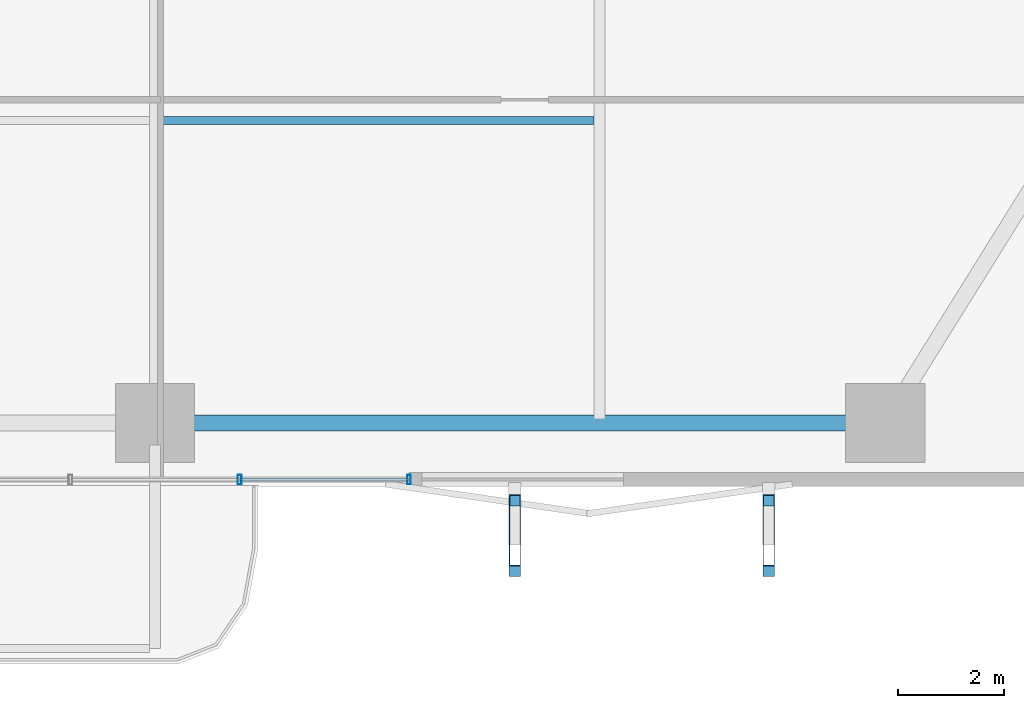
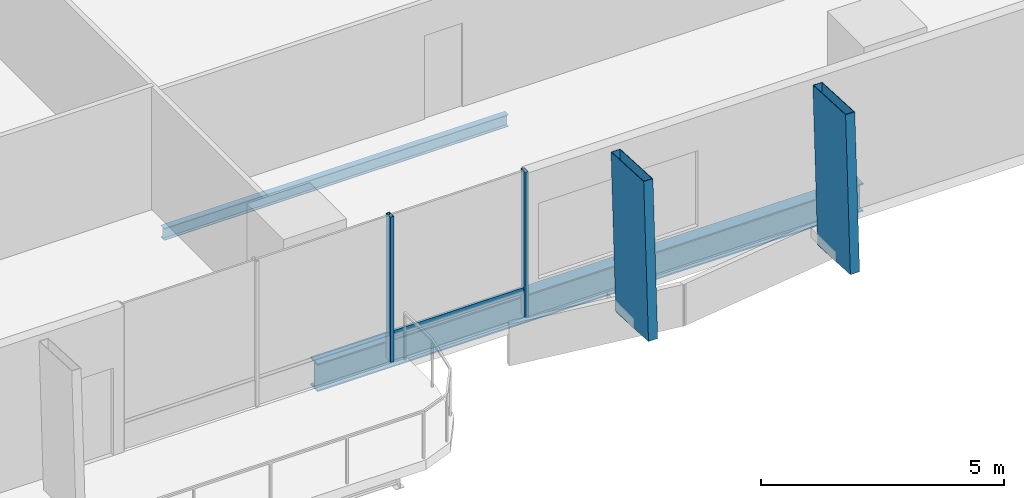
# One storey, part 6 of 23: 5 members, 2 beams, 1 element without a shape of its own.
"""IFC4 building model written with IfcOpenShell, lengths in metres."""

from ifc_helpers import new_model, si_unit, direction, frame, origin, origin_2d, place, context, subcontext, project, spatial, hollow_rectangle, i_section, extrude, material, layer, layer_set, material_profile, profile_set, type_object, element, aggregate, save


model = new_model("IFC4")

# Units and contexts
model_context = context("Model", 3, precision=1e-05, world=origin(), true_north=direction((0.0, 1.0)))
body_context = subcontext(model_context, "Body", "Model", "MODEL_VIEW")
ifc_project = project(units=[si_unit("LENGTHUNIT", "METRE"), si_unit("AREAUNIT", "SQUARE_METRE"), si_unit("VOLUMEUNIT", "CUBIC_METRE"), si_unit("PLANEANGLEUNIT", "RADIAN"), si_unit("MASSUNIT", "GRAM", prefix="KILO")], contexts=[model_context])

# Site, building, storey
site_placement = place(None, origin())
site = spatial("IfcSite", under=ifc_project, at=site_placement, CompositionType="ELEMENT")
building_placement = place(site_placement, origin())
building = spatial("IfcBuilding", under=site, at=building_placement, Name="Belovzor Exchange Tower", CompositionType="ELEMENT")
storey_placement = place(building_placement, frame((0.0, 0.0, 76.800048828125)))
storey = spatial("IfcBuildingStorey", under=building, at=storey_placement, Name="L18", CompositionType="ELEMENT", Elevation=76.800048828125)

# Members
ifc_material_1 = material(Name="Extruded Architectural Terracotta on Steel S355 Carrier", Category="masonry")
ifc_material_profile_1 = material_profile(ifc_material_1, hollow_rectangle(XDim=0.219970703125, YDim=1.35009765625, WallThickness=0.013916015625, at=origin_2d()))
ifc_profile_set_1 = profile_set([ifc_material_profile_1], Name="Extruded Architectural Terracotta on Steel S355 Carrier")
member_type_1 = type_object("IfcMemberType", Name="Base Arc Sweeping Terracotta Pylon Fin 1450", PredefinedType="USERDEFINED", material=ifc_profile_set_1)
for number, where, z_axis, x_axis, name in (
    (1, (35.60009765625, -0.1259765625, -0.25), (0.0, 0.050704695274, 0.998713689641), (-1.0, 0.0, 0.0), "FIN-TC145 Terracotta Facade Fin L18 S3"),
    (2, (40.39990234375, -0.1259765625, -0.25), (0.0, 0.050704695274, 0.998713689641), (-1.0, 0.0, 0.0), "FIN-TC145 Terracotta Facade Fin L18 S4"),
):
    element("IfcMember", number, at=place(storey_placement, frame(where, z_axis=z_axis, x_axis=x_axis)), inside=storey, type_object=member_type_1, Name=name, ObjectType="FIN", PredefinedType="USERDEFINED", context=body_context, shape_type="SweptSolid", body=[
        extrude(hollow_rectangle(XDim=0.219970703125, YDim=1.35009765625, WallThickness=0.013916015625, at=origin_2d()), origin(), (0.0, 0.0, 1.0), 3.905029296875),
    ])

# Beam
ifc_material_2 = material(Name="Steel S355", Category="steel")
ifc_material_profile_2 = material_profile(ifc_material_2, i_section(OverallWidth=0.14990234375, OverallDepth=0.300048828125, WebThickness=0.007080078125, FlangeThickness=0.0107421875, at=origin_2d()))
ifc_profile_set_2 = profile_set([ifc_material_profile_2], Name="Steel S355")
beam_type_1 = type_object("IfcBeamType", Name="Secondary Trim Floor Joist IPE 300", PredefinedType="BEAM", material=ifc_profile_set_2)
beam_1_placement = place(storey_placement, frame((28.905029296875, 7.81494140625, -0.400146484375), z_axis=(1.0, 0.0, 0.0), x_axis=(0.0, 1.0, 0.0)))
element("IfcBeam", 3, at=beam_1_placement, inside=storey, type_object=beam_type_1, Name="FJ-300 Secondary Trim Floor Joist IPE 300", PredefinedType="BEAM", context=body_context, shape_type="SweptSolid", body=[
    extrude(i_section(OverallWidth=0.14990234375, OverallDepth=0.300048828125, WebThickness=0.007080078125, FlangeThickness=0.0107421875, at=origin_2d()), origin(), (0.0, 0.0, 1.0), 8.18994140625),
])

# Curtain wall, members
ifc_material_3 = material(Name="Anodised Aluminium Framing", Category="aluminium")
ifc_layer = layer(ifc_material_3, 0.179931640625)
ifc_layer_set = layer_set([ifc_layer], Name="Anodised Aluminium Framing")
curtain_wall_type = type_object("IfcCurtainWallType", Name="Recessed Loggia Low-Iron Triple-Glazed Curtain Wall", PredefinedType="NOTDEFINED", material=ifc_layer_set)
curtain_wall_placement = place(storey_placement, origin())
curtain_wall = element("IfcCurtainWall", 4, at=curtain_wall_placement, inside=storey, type_object=curtain_wall_type, Name="CW3 Recessed Loggia Low-Iron Triple-Glazed Curtain Wall L18", PredefinedType="NOTDEFINED")
ifc_material_4 = material(Name="Steel S355", Category="steel")
ifc_material_profile_3 = material_profile(ifc_material_4, hollow_rectangle(XDim=0.074951171875, YDim=0.179931640625, WallThickness=0.0048828125, at=origin_2d()))
ifc_profile_set_3 = profile_set([ifc_material_profile_3], Name="Steel S355")
member_type_2 = type_object("IfcMemberType", Name="Thermally Broken Curtain Wall Mullion 180x75", PredefinedType="MULLION", material=ifc_profile_set_3)
member_1_placement = place(storey_placement, frame((33.60009765625, 1.030029296875, 0.0), z_axis=(0.0, 0.0, 1.0), x_axis=(-1.0, 0.0, 0.0)))
member_1 = element("IfcMember", 5, at=member_1_placement, type_object=member_type_2, Name="CW-M180 Curtain Wall Mullion 1", PredefinedType="MULLION", context=body_context, shape_type="SweptSolid", body=[
    extrude(hollow_rectangle(XDim=0.074951171875, YDim=0.179931640625, WallThickness=0.0048828125, at=origin_2d()), origin(), (0.0, 0.0, 1.0), 3.64990234375),
])
member_2_placement = place(storey_placement, frame((30.39990234375, 1.030029296875, 0.0), z_axis=(0.0, 0.0, 1.0), x_axis=(-1.0, 0.0, 0.0)))
member_2 = element("IfcMember", 6, at=member_2_placement, type_object=member_type_2, Name="CW-M180 Curtain Wall Mullion 2", PredefinedType="MULLION", context=body_context, shape_type="SweptSolid", body=[
    extrude(hollow_rectangle(XDim=0.074951171875, YDim=0.179931640625, WallThickness=0.0048828125, at=origin_2d()), origin(), (0.0, 0.0, 1.0), 3.64990234375),
])
ifc_material_5 = material(Name="Steel S355", Category="steel")
ifc_material_profile_4 = material_profile(ifc_material_5, hollow_rectangle(XDim=0.06005859375, YDim=0.14990234375, WallThickness=0.00390625, at=origin_2d()))
ifc_profile_set_4 = profile_set([ifc_material_profile_4], Name="Steel S355")
member_type_3 = type_object("IfcMemberType", Name="Thermally Broken Curtain Wall Transom 150x60", PredefinedType="USERDEFINED", material=ifc_profile_set_4)
member_3_placement = place(storey_placement, frame((33.592041015625, 1.030029296875, 0.64990234375), z_axis=(-1.0, 0.0, 0.0), x_axis=(0.0, -1.0, 0.0)))
member_3 = element("IfcMember", 7, at=member_3_placement, type_object=member_type_3, Name="CW-T150 Curtain Wall Transom 1", ObjectType="TRANSOM", PredefinedType="USERDEFINED", context=body_context, shape_type="SweptSolid", body=[
    extrude(hollow_rectangle(XDim=0.06005859375, YDim=0.14990234375, WallThickness=0.00390625, at=origin_2d()), origin(), (0.0, 0.0, 1.0), 3.18408203125),
])
aggregate(curtain_wall, [member_1, member_2, member_3])

# Beam
ifc_material_6 = material(Name="Steel S355", Category="steel")
ifc_material_profile_5 = material_profile(ifc_material_6, i_section(OverallWidth=0.300048828125, OverallDepth=0.699951171875, WebThickness=0.01708984375, FlangeThickness=0.031982421875, at=origin_2d()))
ifc_profile_set_5 = profile_set([ifc_material_profile_5], Name="Steel S355")
beam_type_2 = type_object("IfcBeamType", Name="Zone 1 Primary Perimeter Girder HEB 700", PredefinedType="BEAM", material=ifc_profile_set_5)
beam_2_placement = place(storey_placement, frame((29.212890625, 2.10009765625, -0.60009765625), z_axis=(1.0, 0.0, 0.0), x_axis=(0.0, 1.0, 0.0)))
element("IfcBeam", 8, at=beam_2_placement, inside=storey, type_object=beam_type_2, Name="FG-Z1 Zone 1 Primary Perimeter Girder HEB 700", PredefinedType="BEAM", context=body_context, shape_type="SweptSolid", body=[
    extrude(i_section(OverallWidth=0.300048828125, OverallDepth=0.699951171875, WebThickness=0.01708984375, FlangeThickness=0.031982421875, at=origin_2d()), origin(), (0.0, 0.0, 1.0), 12.97509765625),
])

save(model, "model.ifc")
